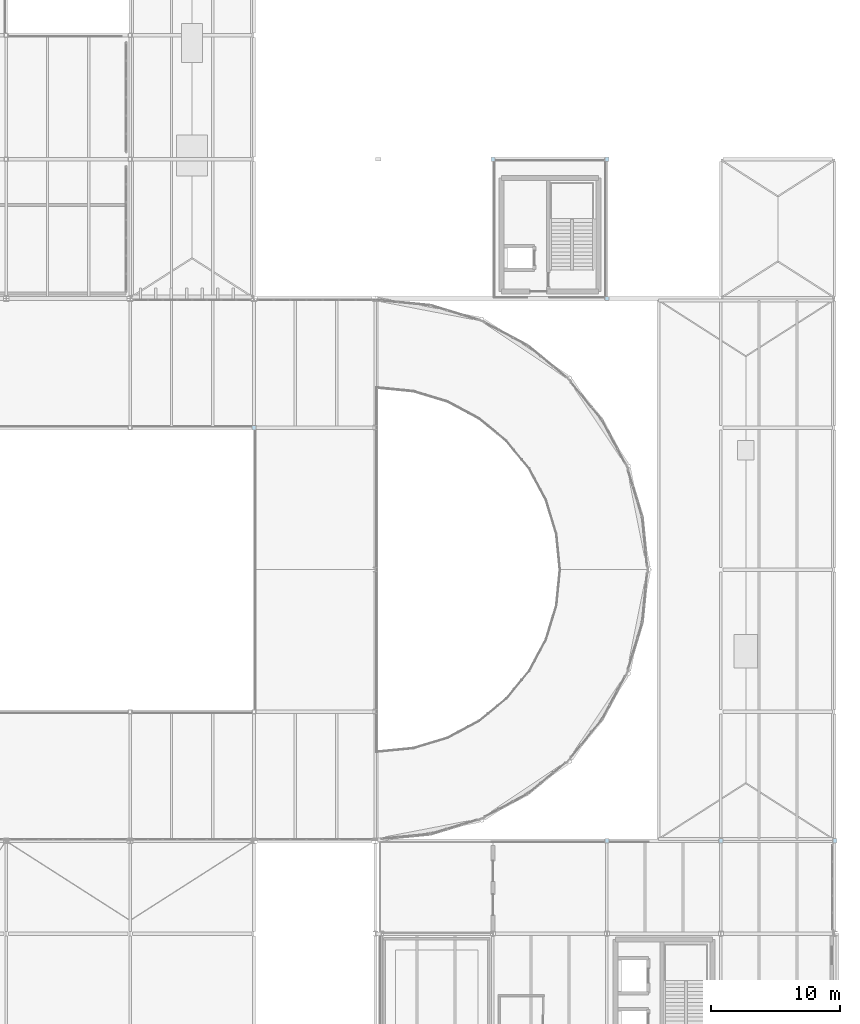
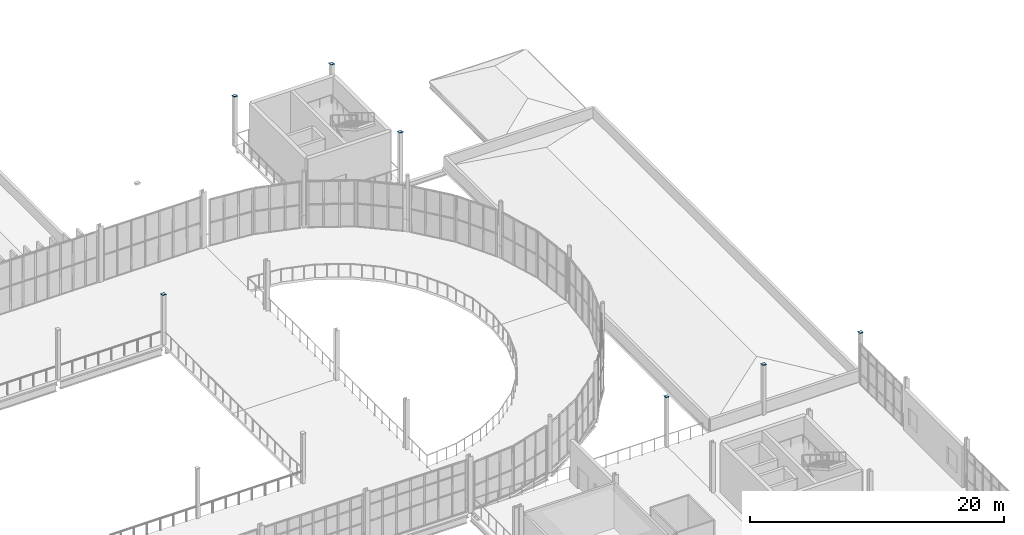
# One storey, part 90 of 112: 7 plates.
"""IFC4 building model written with IfcOpenShell, lengths in metres."""

from ifc_helpers import new_model, si_unit, direction, frame, origin, origin_2d, place, context, subcontext, project, spatial, rectangle, extrude, material, layer, layer_set, type_object, element, save


model = new_model("IFC4")

# Units and contexts
model_context = context("Model", 3, precision=1e-05, world=origin(), true_north=direction((0.0, 1.0)))
body_context = subcontext(model_context, "Body", "Model", "MODEL_VIEW")
ifc_project = project(units=[si_unit("LENGTHUNIT", "METRE"), si_unit("AREAUNIT", "SQUARE_METRE"), si_unit("VOLUMEUNIT", "CUBIC_METRE"), si_unit("PLANEANGLEUNIT", "RADIAN"), si_unit("MASSUNIT", "GRAM", prefix="KILO")], contexts=[model_context])

# Site, building, storey
site_placement = place(None, origin())
site = spatial("IfcSite", under=ifc_project, at=site_placement, CompositionType="ELEMENT")
building_placement = place(site_placement, origin())
building = spatial("IfcBuilding", under=site, at=building_placement, Name="Yeouljin Market Hall", CompositionType="ELEMENT")
storey_placement = place(building_placement, frame((0.0, 0.0, 6.0)))
storey = spatial("IfcBuildingStorey", under=building, at=storey_placement, Name="L01", CompositionType="ELEMENT", Elevation=6.0)

# Plates
ifc_material = material(Name="Steel SM355", Category="steel")
ifc_layer = layer(ifc_material, 0.02001953125)
ifc_layer_set = layer_set([ifc_layer], Name="Steel SM355")
plate_type = type_object("IfcPlateType", Name="CapPlate_320x320x20", PredefinedType="SHEET", material=ifc_layer_set)
for number, where, z_axis, x_axis, name in (
    (1, (131.39990234375, 68.0, 4.800048828125), (0.0, 0.0, 1.0), (1.0, 0.0, 0.0), "Hollow column top cap plate G-15-07 (L01)"),
    (2, (149.909912109375, 88.800048828125, 4.800048828125), (0.0, 0.0, 1.0), (1.0, 0.0, 0.0), "Hollow column top cap plate G-18-09 (L01)"),
    (3, (158.739990234375, 36.0, 4.800048828125), (0.0, 0.0, 1.0), (1.0, 0.0, 0.0), "Hollow column top cap plate G-19-04 (L01)"),
    (4, (158.739990234375, 78.0, 4.800048828125), (0.0, 0.0, 1.0), (1.0, 0.0, 0.0), "Hollow column top cap plate G-19-08 (L01)"),
    (5, (158.739990234375, 88.800048828125, 4.800048828125), (0.0, 0.0, 1.0), (1.0, 0.0, 0.0), "Hollow column top cap plate G-19-09 (L01)"),
    (6, (167.570068359375, 36.0, 4.800048828125), (0.0, 0.0, 1.0), (1.0, 0.0, 0.0), "Hollow column top cap plate G-20-04 (L01)"),
    (7, (176.39990234375, 36.0, 4.800048828125), (0.0, 0.0, 1.0), (1.0, 0.0, 0.0), "Hollow column top cap plate G-21-04 (L01)"),
):
    element("IfcPlate", number, at=place(storey_placement, frame(where, z_axis=z_axis, x_axis=x_axis)), inside=storey, type_object=plate_type, Name=name, PredefinedType="SHEET", context=body_context, shape_type="SweptSolid", body=[
        extrude(rectangle(XDim=0.320068359375, YDim=0.320068359375, at=origin_2d()), origin(), (0.0, 0.0, 1.0), 0.02001953125),
    ])

save(model, "model.ifc")
